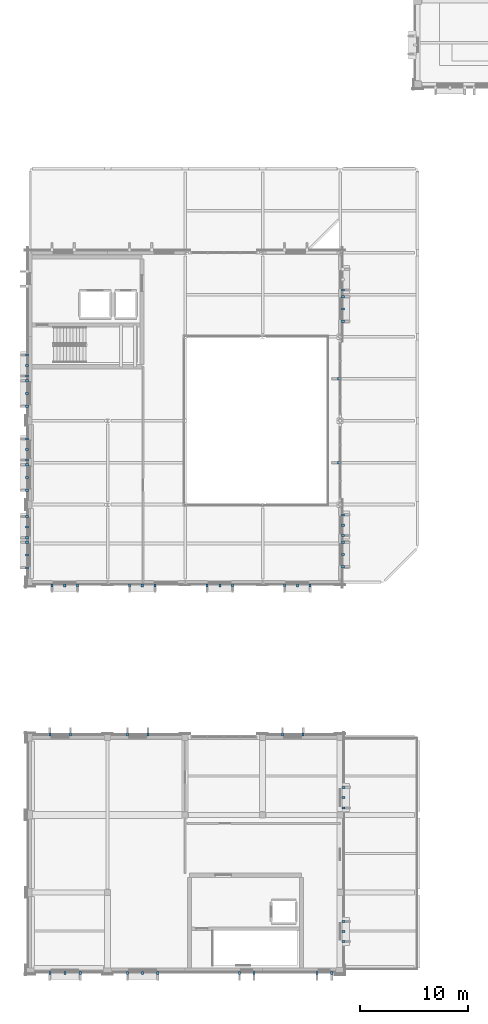
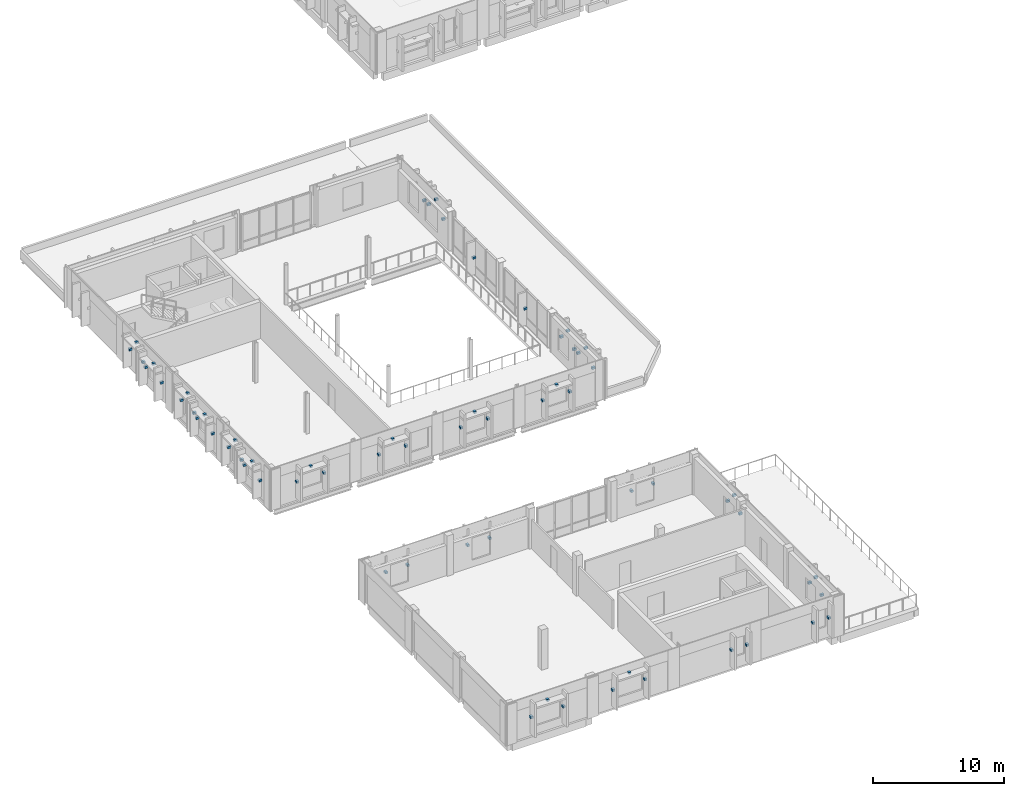
# One storey, part 57 of 73: 64 discrete accessories.
"""IFC4 building model written with IfcOpenShell, lengths in metres."""

from ifc_helpers import new_model, si_unit, direction, frame, origin, origin_2d, place, context, subcontext, project, spatial, rectangle, extrude, material, type_object, element, save


model = new_model("IFC4")

# Units and contexts
model_context = context("Model", 3, precision=1e-05, world=origin(), true_north=direction((0.0, 1.0)))
body_context = subcontext(model_context, "Body", "Model", "MODEL_VIEW")
ifc_project = project(units=[si_unit("LENGTHUNIT", "METRE"), si_unit("AREAUNIT", "SQUARE_METRE"), si_unit("VOLUMEUNIT", "CUBIC_METRE"), si_unit("PLANEANGLEUNIT", "RADIAN"), si_unit("MASSUNIT", "GRAM", prefix="KILO")], contexts=[model_context])

# Site, building, storey
site_placement = place(None, origin())
site = spatial("IfcSite", under=ifc_project, at=site_placement, CompositionType="ELEMENT")
building_placement = place(site_placement, origin())
building = spatial("IfcBuilding", under=site, at=building_placement, Name="Vervanel Yard Central Library", CompositionType="ELEMENT")
storey_placement = place(building_placement, frame((0.0, 0.0, 12.780029296875)))
storey = spatial("IfcBuildingStorey", under=building, at=storey_placement, Name="L03", CompositionType="ELEMENT", Elevation=12.780029296875)

# Discrete accessories
ifc_material = material(Name="Steel ASTM A572 Grade 50", Category="steel")
discrete_accessory_type = type_object("IfcDiscreteAccessoryType", Name="Stainless Solar Fin Fixing Bracket", PredefinedType="BRACKET", material=ifc_material)
for number, where, z_axis, x_axis, name in (
    (1, (-0.2900390625, 37.340087890625, 1.6748046875), (0.0, 0.0, 1.0), (0.0, 1.0, 0.0), "L03 Solar Fin Bracket 357"),
    (2, (-0.2900390625, 39.7099609375, 1.6748046875), (0.0, 0.0, 1.0), (0.0, 1.0, 0.0), "L03 Solar Fin Bracket 358"),
    (3, (-0.2900390625, 38.52490234375, 2.7001953125), (0.0, 0.0, 1.0), (0.0, 1.0, 0.0), "L03 Sunhood Bracket 73"),
    (4, (-0.2900390625, 40.139892578125, 1.875), (0.0, 0.0, 1.0), (0.0, 1.0, 0.0), "L03 Solar Fin Bracket 359"),
    (5, (-0.2900390625, 42.110107421875, 1.875), (0.0, 0.0, 1.0), (0.0, 1.0, 0.0), "L03 Solar Fin Bracket 360"),
    (6, (-0.2900390625, 41.125, 3.10009765625), (0.0, 0.0, 1.0), (0.0, 1.0, 0.0), "L03 Sunhood Bracket 74"),
    (7, (-0.2900390625, 44.5400390625, 1.6748046875), (0.0, 0.0, 1.0), (0.0, 1.0, 0.0), "L03 Solar Fin Bracket 361"),
    (8, (-0.2900390625, 46.909912109375, 1.6748046875), (0.0, 0.0, 1.0), (0.0, 1.0, 0.0), "L03 Solar Fin Bracket 362"),
    (9, (-0.2900390625, 45.72509765625, 2.7001953125), (0.0, 0.0, 1.0), (0.0, 1.0, 0.0), "L03 Sunhood Bracket 75"),
    (10, (-0.2900390625, 47.340087890625, 1.875), (0.0, 0.0, 1.0), (0.0, 1.0, 0.0), "L03 Solar Fin Bracket 363"),
    (11, (-0.2900390625, 49.31005859375, 1.875), (0.0, 0.0, 1.0), (0.0, 1.0, 0.0), "L03 Solar Fin Bracket 364"),
    (12, (-0.2900390625, 48.324951171875, 3.10009765625), (0.0, 0.0, 1.0), (0.0, 1.0, 0.0), "L03 Sunhood Bracket 76"),
    (13, (-0.2900390625, 52.340087890625, 1.6748046875), (0.0, 0.0, 1.0), (0.0, 1.0, 0.0), "L03 Solar Fin Bracket 365"),
    (14, (-0.2900390625, 54.7099609375, 1.6748046875), (0.0, 0.0, 1.0), (0.0, 1.0, 0.0), "L03 Solar Fin Bracket 366"),
    (15, (-0.2900390625, 53.52490234375, 2.7001953125), (0.0, 0.0, 1.0), (0.0, 1.0, 0.0), "L03 Sunhood Bracket 77"),
    (16, (-0.2900390625, 55.139892578125, 1.875), (0.0, 0.0, 1.0), (0.0, 1.0, 0.0), "L03 Solar Fin Bracket 367"),
    (17, (-0.2900390625, 57.110107421875, 1.875), (0.0, 0.0, 1.0), (0.0, 1.0, 0.0), "L03 Solar Fin Bracket 368"),
    (18, (-0.2900390625, 56.125, 3.10009765625), (0.0, 0.0, 1.0), (0.0, 1.0, 0.0), "L03 Sunhood Bracket 78"),
    (19, (29.070068359375, 37.43994140625, 1.7998046875), (0.0, 0.0, 1.0), (0.0, 1.0, 0.0), "L03 Solar Fin Bracket 371"),
    (20, (29.070068359375, 39.7099609375, 1.7998046875), (0.0, 0.0, 1.0), (0.0, 1.0, 0.0), "L03 Solar Fin Bracket 372"),
    (21, (29.070068359375, 38.574951171875, 2.9501953125), (0.0, 0.0, 1.0), (0.0, 1.0, 0.0), "L03 Sunhood Bracket 79"),
    (22, (29.070068359375, 40.340087890625, 1.77490234375), (0.0, 0.0, 1.0), (0.0, 1.0, 0.0), "L03 Solar Fin Bracket 373"),
    (23, (29.070068359375, 42.260009765625, 1.77490234375), (0.0, 0.0, 1.0), (0.0, 1.0, 0.0), "L03 Solar Fin Bracket 374"),
    (24, (29.070068359375, 41.300048828125, 2.89990234375), (0.0, 0.0, 1.0), (0.0, 1.0, 0.0), "L03 Sunhood Bracket 80"),
    (25, (28.669921875, 47.10009765625, 1.60009765625), (0.0, 0.0, 1.0), (0.0, 1.0, 0.0), "L03 Solar Fin Bracket 375"),
    (26, (28.669921875, 54.89990234375, 1.60009765625), (0.0, 0.0, 1.0), (0.0, 1.0, 0.0), "L03 Solar Fin Bracket 376"),
    (27, (29.070068359375, 60.239990234375, 1.7998046875), (0.0, 0.0, 1.0), (0.0, 1.0, 0.0), "L03 Solar Fin Bracket 377"),
    (28, (29.070068359375, 62.510009765625, 1.7998046875), (0.0, 0.0, 1.0), (0.0, 1.0, 0.0), "L03 Solar Fin Bracket 378"),
    (29, (29.070068359375, 61.375, 2.9501953125), (0.0, 0.0, 1.0), (0.0, 1.0, 0.0), "L03 Sunhood Bracket 81"),
    (30, (29.070068359375, 63.139892578125, 1.77490234375), (0.0, 0.0, 1.0), (0.0, 1.0, 0.0), "L03 Solar Fin Bracket 379"),
    (31, (2.0400390625, 35.7099609375, 1.72509765625), (0.0, 0.0, 1.0), (1.0, 0.0, 0.0), "L03 Solar Fin Bracket 383"),
    (32, (4.409912109375, 35.7099609375, 1.72509765625), (0.0, 0.0, 1.0), (1.0, 0.0, 0.0), "L03 Solar Fin Bracket 384"),
    (33, (3.22509765625, 35.7099609375, 2.75), (0.0, 0.0, 1.0), (1.0, 0.0, 0.0), "L03 Sunhood Bracket 83"),
    (34, (9.239990234375, 35.7099609375, 1.72509765625), (0.0, 0.0, 1.0), (1.0, 0.0, 0.0), "L03 Solar Fin Bracket 387"),
    (35, (11.610107421875, 35.7099609375, 1.72509765625), (0.0, 0.0, 1.0), (1.0, 0.0, 0.0), "L03 Solar Fin Bracket 388"),
    (36, (10.425048828125, 35.7099609375, 2.75), (0.0, 0.0, 1.0), (1.0, 0.0, 0.0), "L03 Sunhood Bracket 84"),
    (37, (16.43994140625, 35.7099609375, 1.72509765625), (0.0, 0.0, 1.0), (1.0, 0.0, 0.0), "L03 Solar Fin Bracket 389"),
    (38, (18.81005859375, 35.7099609375, 1.72509765625), (0.0, 0.0, 1.0), (1.0, 0.0, 0.0), "L03 Solar Fin Bracket 390"),
    (39, (17.625, 35.7099609375, 2.75), (0.0, 0.0, 1.0), (1.0, 0.0, 0.0), "L03 Sunhood Bracket 85"),
    (40, (23.639892578125, 35.7099609375, 1.72509765625), (0.0, 0.0, 1.0), (1.0, 0.0, 0.0), "L03 Solar Fin Bracket 393"),
    (41, (26.010009765625, 35.7099609375, 1.72509765625), (0.0, 0.0, 1.0), (1.0, 0.0, 0.0), "L03 Solar Fin Bracket 394"),
    (42, (24.824951171875, 35.7099609375, 2.75), (0.0, 0.0, 1.0), (1.0, 0.0, 0.0), "L03 Sunhood Bracket 86"),
    (43, (1.840087890625, -0.2900390625, 1.75), (0.0, 0.0, 1.0), (1.0, 0.0, 0.0), "L03 Solar Fin Bracket 687"),
    (44, (4.659912109375, -0.2900390625, 1.75), (0.0, 0.0, 1.0), (1.0, 0.0, 0.0), "L03 Solar Fin Bracket 688"),
    (45, (3.25, -0.2900390625, 2.85009765625), (0.0, 0.0, 1.0), (1.0, 0.0, 0.0), "L03 Sunhood Bracket 142"),
    (46, (9.0400390625, -0.2900390625, 1.75), (0.0, 0.0, 1.0), (1.0, 0.0, 0.0), "L03 Solar Fin Bracket 689"),
    (47, (11.860107421875, -0.2900390625, 1.75), (0.0, 0.0, 1.0), (1.0, 0.0, 0.0), "L03 Solar Fin Bracket 690"),
    (48, (10.449951171875, -0.2900390625, 2.85009765625), (0.0, 0.0, 1.0), (1.0, 0.0, 0.0), "L03 Sunhood Bracket 143"),
    (49, (19.43994140625, -0.2900390625, 1.8251953125), (0.0, 0.0, 1.0), (1.0, 0.0, 0.0), "L03 Solar Fin Bracket 691"),
    (50, (20.81005859375, -0.2900390625, 1.8251953125), (0.0, 0.0, 1.0), (1.0, 0.0, 0.0), "L03 Solar Fin Bracket 692"),
    (51, (26.639892578125, -0.2900390625, 1.8251953125), (0.0, 0.0, 1.0), (1.0, 0.0, 0.0), "L03 Solar Fin Bracket 693"),
    (52, (28.010009765625, -0.2900390625, 1.8251953125), (0.0, 0.0, 1.0), (1.0, 0.0, 0.0), "L03 Solar Fin Bracket 694"),
    (53, (29.090087890625, 2.639892578125, 1.77490234375), (0.0, 0.0, 1.0), (0.0, 1.0, 0.0), "L03 Solar Fin Bracket 695"),
    (54, (29.090087890625, 4.510009765625, 1.77490234375), (0.0, 0.0, 1.0), (0.0, 1.0, 0.0), "L03 Solar Fin Bracket 696"),
    (55, (29.090087890625, 3.574951171875, 2.85009765625), (0.0, 0.0, 1.0), (0.0, 1.0, 0.0), "L03 Sunhood Bracket 144"),
    (56, (29.090087890625, 15.0400390625, 1.8251953125), (0.0, 0.0, 1.0), (0.0, 1.0, 0.0), "L03 Solar Fin Bracket 697"),
    (57, (29.090087890625, 16.9599609375, 1.8251953125), (0.0, 0.0, 1.0), (0.0, 1.0, 0.0), "L03 Solar Fin Bracket 698"),
    (58, (29.090087890625, 16.0, 2.9501953125), (0.0, 0.0, 1.0), (0.0, 1.0, 0.0), "L03 Sunhood Bracket 145"),
    (59, (1.840087890625, 21.8701171875, 1.77490234375), (0.0, 0.0, 1.0), (1.0, 0.0, 0.0), "L03 Solar Fin Bracket 699"),
    (60, (3.760009765625, 21.8701171875, 1.77490234375), (0.0, 0.0, 1.0), (1.0, 0.0, 0.0), "L03 Solar Fin Bracket 700"),
    (61, (9.0400390625, 21.8701171875, 1.77490234375), (0.0, 0.0, 1.0), (1.0, 0.0, 0.0), "L03 Solar Fin Bracket 701"),
    (62, (10.9599609375, 21.8701171875, 1.77490234375), (0.0, 0.0, 1.0), (1.0, 0.0, 0.0), "L03 Solar Fin Bracket 702"),
    (63, (23.43994140625, 21.8701171875, 1.77490234375), (0.0, 0.0, 1.0), (1.0, 0.0, 0.0), "L03 Solar Fin Bracket 703"),
    (64, (25.360107421875, 21.8701171875, 1.77490234375), (0.0, 0.0, 1.0), (1.0, 0.0, 0.0), "L03 Solar Fin Bracket 704"),
):
    element("IfcDiscreteAccessory", number, at=place(storey_placement, frame(where, z_axis=z_axis, x_axis=x_axis)), inside=storey, type_object=discrete_accessory_type, Name=name, PredefinedType="BRACKET", context=body_context, shape_type="SweptSolid", body=[
        extrude(rectangle(XDim=0.199951171875, YDim=0.280029296875, at=origin_2d()), origin(), (0.0, 0.0, 1.0), 0.199951171875),
    ])

save(model, "model.ifc")
